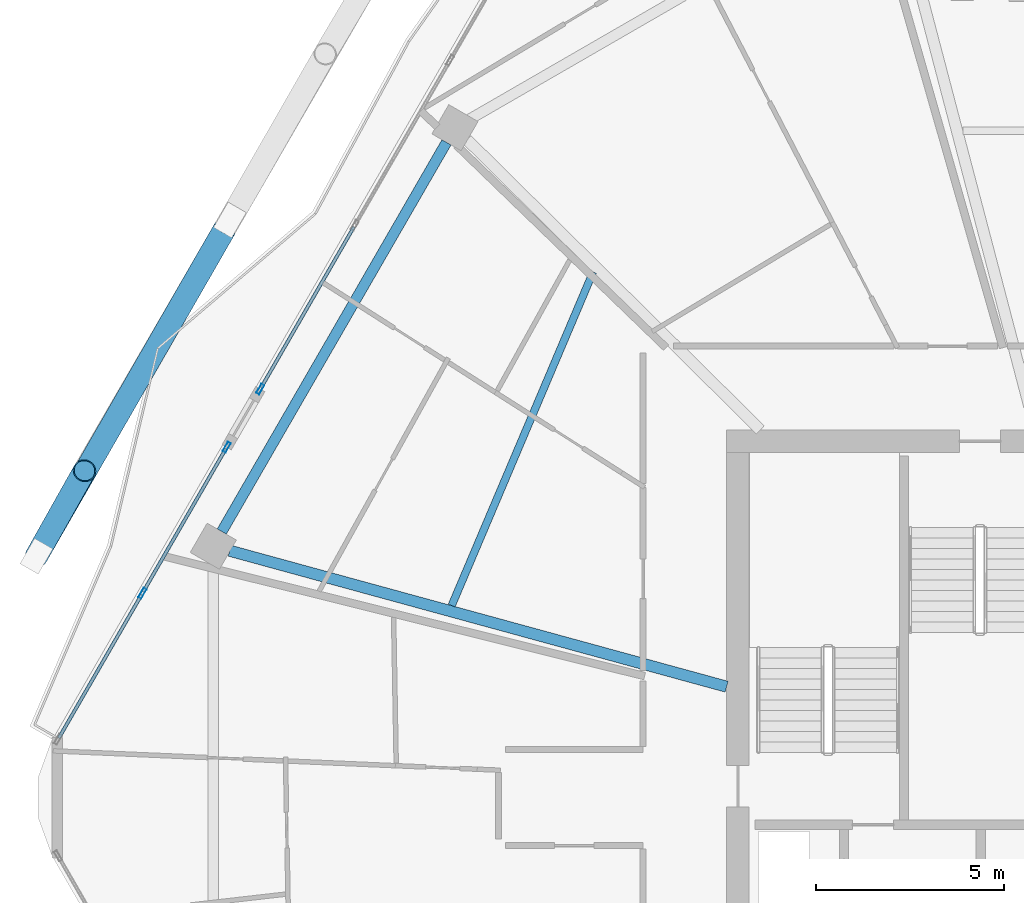
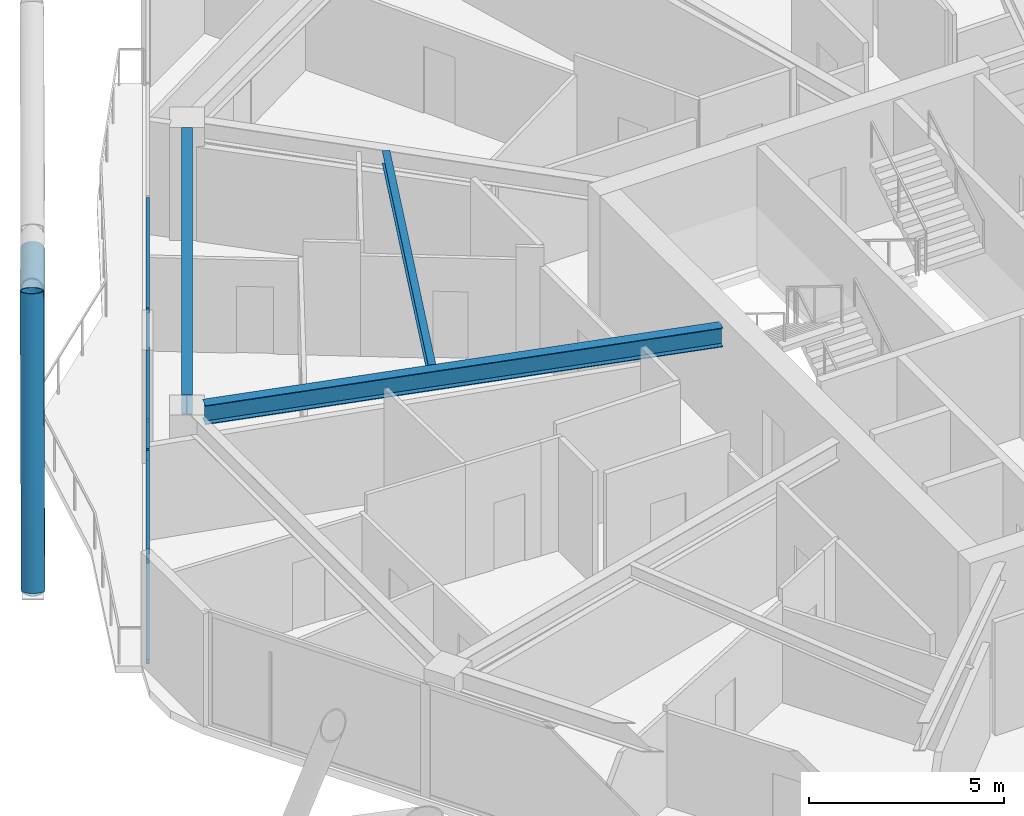
# One storey, part 12 of 29: 11 members, 3 beams, 2 elements without a shape of their own.
"""IFC4 building model written with IfcOpenShell, lengths in metres."""

import ifcopenshell
import ifcopenshell.guid

model = None  # the IFC model being written
_history = None  # IfcOwnerHistory: only IFC2X3 demands one
_inside = {}  # id of a spatial element -> (the spatial element, [elements in it])
_under = {}  # id of a project, library or spatial element -> (it, [spatial elements below it])
_declared = {}  # id of a project -> (the project, [libraries it declares])
_typed = {}  # id of a type object -> (the type object, [elements of that type])
_made_of = {}  # id of a material, layer set ... -> (it, [elements and type objects made of it])


def new_model(schema):
    """Start an empty IFC model of exactly this schema.

    Asked for "IFC4X3", IfcOpenShell would pick the latest addendum, in which some entities
    have other attributes; the version numbers below select the first issue.
    IFC2X3 requires an IfcOwnerHistory on every rooted entity: one is made here for all.
    """
    global model, _history
    if schema == "IFC4X3":
        model = ifcopenshell.file(schema_version=(4, 3, 0, 0))
    else:
        model = ifcopenshell.file(schema=schema)
    _inside.clear()
    _under.clear()
    _declared.clear()
    _typed.clear()
    _made_of.clear()
    _history = None
    if model.schema == "IFC2X3":
        org = make("IfcOrganization", Name="unknown")
        user = make(
            "IfcPersonAndOrganization",
            ThePerson=make("IfcPerson", FamilyName="unknown"),
            TheOrganization=org,
        )
        app = make(
            "IfcApplication",
            ApplicationDeveloper=org,
            Version="unknown",
            ApplicationFullName="unknown",
            ApplicationIdentifier="unknown",
        )
        _history = make(
            "IfcOwnerHistory",
            OwningUser=user,
            OwningApplication=app,
            ChangeAction="ADDED",
            CreationDate=0,
        )
    return model


def make(cls, **values):
    """One entity of the class cls with the attributes given. An attribute that is None is left unset."""
    return model.create_entity(
        cls, **{name: value for name, value in values.items() if value is not None}
    )


def rooted(cls, **values):
    """An entity with a GlobalId (a new one), such as an element, a storey or a relation."""
    return make(cls, GlobalId=ifcopenshell.guid.new(), OwnerHistory=_history, **values)


def si_unit(unit_type, name, prefix=None):
    """IfcSIUnit, for example si_unit("LENGTHUNIT", "METRE", prefix="MILLI")."""
    return make("IfcSIUnit", UnitType=unit_type, Prefix=prefix, Name=name)


def assignment(units):
    """IfcUnitAssignment: the units of a project."""
    return None if units is None else make("IfcUnitAssignment", Units=units)


def point(xyz):
    """IfcCartesianPoint."""
    return None if xyz is None else make("IfcCartesianPoint", Coordinates=xyz)


def direction(xyz):
    """IfcDirection."""
    return None if xyz is None else make("IfcDirection", DirectionRatios=xyz)


def frame(location, z_axis=None, x_axis=None):
    """IfcAxis2Placement3D, a coordinate frame: its origin and axes. An axis left out is left unset."""
    return make(
        "IfcAxis2Placement3D",
        Location=point(location),
        Axis=direction(z_axis),
        RefDirection=direction(x_axis),
    )


def frame_2d(location, x_axis=None):
    """IfcAxis2Placement2D, a coordinate frame in the plane: its origin and x axis."""
    return make(
        "IfcAxis2Placement2D", Location=point(location), RefDirection=direction(x_axis)
    )


def origin():
    """The frame at (0, 0, 0) with its axes left unset."""
    return frame((0.0, 0.0, 0.0))


def origin_2d():
    """The frame at (0, 0) in the plane with its x axis left unset."""
    return frame_2d((0.0, 0.0))


def place(relative_to, where):
    """IfcLocalPlacement: puts the frame where relative to a parent placement (None: the world)."""
    return make(
        "IfcLocalPlacement", PlacementRelTo=relative_to, RelativePlacement=where
    )


def context(
    kind, dimensions, precision=None, world=None, true_north=None, identifier=None
):
    """IfcGeometricRepresentationContext, for example the 3D "Model" context."""
    return make(
        "IfcGeometricRepresentationContext",
        ContextIdentifier=identifier,
        ContextType=kind,
        CoordinateSpaceDimension=dimensions,
        Precision=precision,
        WorldCoordinateSystem=world,
        TrueNorth=true_north,
    )


def subcontext(parent, identifier, kind, view, scale=None):
    """IfcGeometricRepresentationSubContext, for example "Body" below "Model"."""
    return make(
        "IfcGeometricRepresentationSubContext",
        ContextIdentifier=identifier,
        ContextType=kind,
        ParentContext=parent,
        TargetScale=scale,
        TargetView=view,
    )


def project(units=None, contexts=None):
    """IfcProject with its units and contexts."""
    return rooted(
        "IfcProject",
        Name="project",
        RepresentationContexts=contexts,
        UnitsInContext=assignment(units),
    )


def spatial(cls, under=None, at=None, **own):
    """A site, building, storey or space (cls), placed at a placement, below another one or the project."""
    s = rooted(cls, ObjectPlacement=at, **own)
    if under is not None:
        _under.setdefault(under.id(), (under, []))[1].append(s)
    return s


def profile(cls, at=None, kind="AREA", **sizes):
    """A parametric profile (cls). Its sizes go by their IFC names, for example OverallWidth=200.0."""
    return make(cls, ProfileType=kind, Position=at, **sizes)


def hollow_rectangle(**sizes):
    """IfcRectangleHollowProfileDef."""
    return profile("IfcRectangleHollowProfileDef", **sizes)


def hollow_circle(**sizes):
    """IfcCircleHollowProfileDef."""
    return profile("IfcCircleHollowProfileDef", **sizes)


def i_section(**sizes):
    """IfcIShapeProfileDef."""
    return profile("IfcIShapeProfileDef", **sizes)


def extrude(swept, where, along, depth):
    """IfcExtrudedAreaSolid: the profile swept, set in the frame where, extruded along a direction by depth."""
    return make(
        "IfcExtrudedAreaSolid",
        SweptArea=swept,
        Position=where,
        ExtrudedDirection=direction(along),
        Depth=depth,
    )


def shape(context_of_items, identifier, shape_type, items):
    """IfcShapeRepresentation: the items that make up one representation, for example the "Body"."""
    return make(
        "IfcShapeRepresentation",
        ContextOfItems=context_of_items,
        RepresentationIdentifier=identifier,
        RepresentationType=shape_type,
        Items=items,
    )


def material(Name=None, Category=None):
    """IfcMaterial."""
    return make("IfcMaterial", Name=Name, Category=Category)


def material_profile(
    of_material, cross_section, Name=None, Category=None, Priority=None
):
    """IfcMaterialProfile: a cross section and its material."""
    return make(
        "IfcMaterialProfile",
        Name=Name,
        Material=of_material,
        Profile=cross_section,
        Priority=Priority,
        Category=Category,
    )


def profile_set(profiles, Name=None, composite=None):
    """IfcMaterialProfileSet."""
    return make(
        "IfcMaterialProfileSet",
        Name=Name,
        MaterialProfiles=profiles,
        CompositeProfile=composite,
    )


def made_of(thing, what):
    """Note that an element or type object is made of a material, layer set ...; save() writes the relation."""
    if what is not None:
        _made_of.setdefault(what.id(), (what, []))[1].append(thing)
    return thing


def type_object(cls, material=None, **own):
    """A type object (cls), such as IfcWallType, which elements share."""
    return made_of(rooted(cls, **own), material)


def element(
    cls,
    number,
    at=None,
    inside=None,
    cuts=None,
    type_object=None,
    material=None,
    context=None,
    identifier="Body",
    shape_type=None,
    held_by="IfcProductDefinitionShape",
    body=None,
    shapes=None,
    **own,
):
    """One element of the class cls, such as IfcWall. Its Tag is "e" and its number.

    at: its placement. inside: the storey or other place that contains it. cuts: it is an
    opening in that element (IfcRelVoidsElement). A single representation is given by context,
    identifier, shape_type and body (its items); several are given by shapes. held_by: the class
    of the entity that holds the representations. save() writes the other relations.
    """
    e = rooted(cls, Tag="e%d" % number, ObjectPlacement=at, **own)
    if body is not None:
        shapes = [shape(context, identifier, shape_type, body)]
    if shapes is not None:
        e.Representation = make(held_by, Representations=shapes)
    if inside is not None:
        _inside.setdefault(inside.id(), (inside, []))[1].append(e)
    if cuts is not None:
        rooted(
            "IfcRelVoidsElement", RelatingBuildingElement=cuts, RelatedOpeningElement=e
        )
    if type_object is not None:
        _typed.setdefault(type_object.id(), (type_object, []))[1].append(e)
    return made_of(e, material)


def aggregate(whole, parts):
    """IfcRelAggregates: a whole, such as a stair, and the parts it consists of."""
    return rooted("IfcRelAggregates", RelatingObject=whole, RelatedObjects=parts)


def save(model, path):
    """Write the relations noted so far, then the file.

    IfcRelAggregates (storeys below a building ...), IfcRelContainedInSpatialStructure (elements
    in a storey), IfcRelDefinesByType, IfcRelAssociatesMaterial and IfcRelDeclares: one each for
    every whole, place, type object, material and project.
    """
    for whole, parts in _under.values():
        aggregate(whole, parts)
    for where, things in _inside.values():
        rooted(
            "IfcRelContainedInSpatialStructure",
            RelatedElements=things,
            RelatingStructure=where,
        )
    for kind, things in _typed.values():
        rooted("IfcRelDefinesByType", RelatedObjects=things, RelatingType=kind)
    for what, things in _made_of.values():
        rooted("IfcRelAssociatesMaterial", RelatedObjects=things, RelatingMaterial=what)
    for by, libraries in _declared.values():
        rooted("IfcRelDeclares", RelatingContext=by, RelatedDefinitions=libraries)
    model.write(path)


model = new_model("IFC4")

# Units and contexts
model_context = context("Model", 3, precision=1e-05, world=origin(), true_north=direction((0.0, 1.0)))
body_context = subcontext(model_context, "Body", "Model", "MODEL_VIEW")
ifc_project = project(units=[si_unit("LENGTHUNIT", "METRE"), si_unit("AREAUNIT", "SQUARE_METRE"), si_unit("VOLUMEUNIT", "CUBIC_METRE"), si_unit("PLANEANGLEUNIT", "RADIAN"), si_unit("MASSUNIT", "GRAM", prefix="KILO")], contexts=[model_context])

# Site, building, storey
site_placement = place(None, origin())
site = spatial("IfcSite", under=ifc_project, at=site_placement, CompositionType="ELEMENT")
building_placement = place(site_placement, origin())
building = spatial("IfcBuilding", under=site, at=building_placement, Name="Zuhravey Tower", CompositionType="ELEMENT")
storey_placement = place(building_placement, frame((0.0, 0.0, 246.39990234375)))
storey = spatial("IfcBuildingStorey", under=building, at=storey_placement, Name="L62", CompositionType="ELEMENT", Elevation=246.39990234375)

# Curtain wall, members
ifc_material_1 = material(Name="Thermally broken anodised aluminium", Category="aluminium")
curtain_wall_type = type_object("IfcCurtainWallType", Name="Zone 3-4 High-Rise Curtain Wall CW4", PredefinedType="NOTDEFINED", material=ifc_material_1)
curtain_wall_1_placement = place(storey_placement, origin())
curtain_wall_1 = element("IfcCurtainWall", 1, at=curtain_wall_1_placement, inside=storey, type_object=curtain_wall_type, Name="L62 CW4 CW-L62-F3-1", PredefinedType="NOTDEFINED")
ifc_material_2 = material(Name="Anodised aluminium", Category="aluminium")
ifc_material_profile_1 = material_profile(ifc_material_2, hollow_rectangle(XDim=0.090087890625, YDim=0.284912109375, WallThickness=0.0048828125, at=origin_2d()), Name="ALU-RHS-90x285x5")
ifc_profile_set_1 = profile_set([ifc_material_profile_1], Name="Anodised aluminium")
member_type_1 = type_object("IfcMemberType", Name="Curtain-Wall Mullion 90x180", PredefinedType="MULLION", material=ifc_profile_set_1)
member_1_placement = place(storey_placement, frame((9.625244140625, 37.444580078125, 0.0), z_axis=(0.0, 0.0, 1.0), x_axis=(-0.866023292434, 0.500003656948, 0.0)))
member_1 = element("IfcMember", 2, at=member_1_placement, type_object=member_type_1, Name="CW4 mullion 2", PredefinedType="MULLION", context=body_context, shape_type="SweptSolid", body=[
    extrude(hollow_rectangle(XDim=0.090087890625, YDim=0.284912109375, WallThickness=0.0048828125, at=origin_2d()), origin(), (0.0, 0.0, 1.0), 3.550048828125),
])
member_2_placement = place(storey_placement, frame((11.872802734375, 41.337890625, 0.0), z_axis=(0.0, 0.0, 1.0), x_axis=(-0.866023292434, 0.500003656948, 0.0)))
member_2 = element("IfcMember", 3, at=member_2_placement, type_object=member_type_1, Name="CW4 mullion 3", PredefinedType="MULLION", context=body_context, shape_type="SweptSolid", body=[
    extrude(hollow_rectangle(XDim=0.090087890625, YDim=0.284912109375, WallThickness=0.0048828125, at=origin_2d()), origin(), (0.0, 0.0, 1.0), 3.550048828125),
])

# Curtain wall, member
curtain_wall_2_placement = place(storey_placement, origin())
curtain_wall_2 = element("IfcCurtainWall", 4, at=curtain_wall_2_placement, inside=storey, type_object=curtain_wall_type, Name="L62 CW4 CW-L62-F3-2", PredefinedType="NOTDEFINED")
member_3_placement = place(storey_placement, frame((12.767822265625, 42.887939453125, 0.0), z_axis=(0.0, 0.0, 1.0), x_axis=(-0.866026426031, 0.499998229413, 0.0)))
member_3 = element("IfcMember", 5, at=member_3_placement, type_object=member_type_1, Name="CW4 mullion 1", PredefinedType="MULLION", context=body_context, shape_type="SweptSolid", body=[
    extrude(hollow_rectangle(XDim=0.090087890625, YDim=0.284912109375, WallThickness=0.0048828125, at=origin_2d()), origin(), (0.0, 0.0, 1.0), 3.550048828125),
])

# Member
ifc_material_profile_2 = material_profile(ifc_material_2, hollow_rectangle(XDim=0.090087890625, YDim=0.14990234375, WallThickness=0.0048828125, at=origin_2d()), Name="ALU-RHS-90x150x5")
ifc_profile_set_2 = profile_set([ifc_material_profile_2], Name="Anodised aluminium")
member_type_2 = type_object("IfcMemberType", Name="Curtain-Wall Transom 90x150", PredefinedType="USERDEFINED", material=ifc_profile_set_2)
member_4_placement = place(storey_placement, frame((7.39990234375, 33.59033203125, 0.045166015625), z_axis=(0.499965502695, 0.866045319897, 0.0), x_axis=(-0.866045319897, 0.499965502695, 0.0)))
member_4 = element("IfcMember", 6, at=member_4_placement, type_object=member_type_2, Name="CW4 transom 1.1", ObjectType="TRANSOM", PredefinedType="USERDEFINED", context=body_context, shape_type="SweptSolid", body=[
    extrude(hollow_rectangle(XDim=0.090087890625, YDim=0.14990234375, WallThickness=0.0048828125, at=origin_2d()), origin(), (0.0, 0.0, 1.0), 4.405517578125),
])

member_5_placement = place(storey_placement, frame((7.39990234375, 33.59033203125, 3.505126953125), z_axis=(0.499965502695, 0.866045319897, 0.0), x_axis=(-0.866045319897, 0.499965502695, 0.0)))
member_5 = element("IfcMember", 7, at=member_5_placement, type_object=member_type_2, Name="CW4 transom 1.2", ObjectType="TRANSOM", PredefinedType="USERDEFINED", context=body_context, shape_type="SweptSolid", body=[
    extrude(hollow_rectangle(XDim=0.090087890625, YDim=0.14990234375, WallThickness=0.0048828125, at=origin_2d()), origin(), (0.0, 0.0, 1.0), 4.405517578125),
])

member_6_placement = place(storey_placement, frame((9.647705078125, 37.483642578125, 0.045166015625), z_axis=(0.499989498495, 0.866031466746, 0.0), x_axis=(-0.866031466746, 0.499989498495, 0.0)))
member_6 = element("IfcMember", 8, at=member_6_placement, type_object=member_type_2, Name="CW4 transom 2.1", ObjectType="TRANSOM", PredefinedType="USERDEFINED", context=body_context, shape_type="SweptSolid", body=[
    extrude(hollow_rectangle(XDim=0.090087890625, YDim=0.14990234375, WallThickness=0.0048828125, at=origin_2d()), origin(), (0.0, 0.0, 1.0), 4.4052734375),
])

member_7_placement = place(storey_placement, frame((9.647705078125, 37.483642578125, 3.505126953125), z_axis=(0.499989498495, 0.866031466746, 0.0), x_axis=(-0.866031466746, 0.499989498495, 0.0)))
member_7 = element("IfcMember", 9, at=member_7_placement, type_object=member_type_2, Name="CW4 transom 2.2", ObjectType="TRANSOM", PredefinedType="USERDEFINED", context=body_context, shape_type="SweptSolid", body=[
    extrude(hollow_rectangle(XDim=0.090087890625, YDim=0.14990234375, WallThickness=0.0048828125, at=origin_2d()), origin(), (0.0, 0.0, 1.0), 4.4052734375),
])

aggregate(curtain_wall_1, [member_1, member_2, member_4, member_5, member_6, member_7])

member_8_placement = place(storey_placement, frame((12.790283203125, 42.927001953125, 0.045166015625), z_axis=(0.500030064314, 0.866008045449, 0.0), x_axis=(-0.866008045449, 0.500030064314, 0.0)))
member_8 = element("IfcMember", 10, at=member_8_placement, type_object=member_type_2, Name="CW4 transom 1.1", ObjectType="TRANSOM", PredefinedType="USERDEFINED", context=body_context, shape_type="SweptSolid", body=[
    extrude(hollow_rectangle(XDim=0.090087890625, YDim=0.14990234375, WallThickness=0.0048828125, at=origin_2d()), origin(), (0.0, 0.0, 1.0), 4.946533203125),
])

member_9_placement = place(storey_placement, frame((12.790283203125, 42.927001953125, 3.505126953125), z_axis=(0.500030064314, 0.866008045449, 0.0), x_axis=(-0.866008045449, 0.500030064314, 0.0)))
member_9 = element("IfcMember", 11, at=member_9_placement, type_object=member_type_2, Name="CW4 transom 1.2", ObjectType="TRANSOM", PredefinedType="USERDEFINED", context=body_context, shape_type="SweptSolid", body=[
    extrude(hollow_rectangle(XDim=0.090087890625, YDim=0.14990234375, WallThickness=0.0048828125, at=origin_2d()), origin(), (0.0, 0.0, 1.0), 4.946533203125),
])

aggregate(curtain_wall_2, [member_3, member_8, member_9])

# Members
ifc_material_3 = material(Name="Steel SM355", Category="steel")
ifc_material_profile_3 = material_profile(ifc_material_3, hollow_circle(Radius=0.3046875, WallThickness=0.028076171875, at=origin_2d()), Name="CHS-609.6x28")
ifc_profile_set_3 = profile_set([ifc_material_profile_3], Name="Steel SM355")
member_type_3 = type_object("IfcMemberType", Name="Exoskeleton Zone 3 Diagrid CHS610x28", PredefinedType="BRACE", material=ifc_profile_set_3)
member_10_placement = place(storey_placement, frame((6.8037109375, 38.43798828125, -0.44580078125), z_axis=(0.159795415744, 0.28422652237, 0.945346872364), x_axis=(-0.871682978645, 0.490070183485, 0.0)))
element("IfcMember", 12, at=member_10_placement, inside=storey, type_object=member_type_3, Name="L62 Face 3 Diagrid Brace 4", PredefinedType="BRACE", context=body_context, shape_type="SweptSolid", body=[
    extrude(hollow_circle(Radius=0.3046875, WallThickness=0.028076171875, at=origin_2d()), origin(), (0.0, 0.0, 1.0), 8.001220703125),
])
member_11_placement = place(storey_placement, frame((6.81982421875, 38.465576171875, -0.449951171875), z_axis=(0.468117342426, 0.813547616936, 0.34497308402), x_axis=(-0.866755502891, 0.498733293664, 0.0)))
element("IfcMember", 13, at=member_11_placement, inside=storey, type_object=member_type_3, Name="L62 Face 3 Split Diagrid Brace 3A", PredefinedType="BRACE", context=body_context, shape_type="SweptSolid", body=[
    extrude(hollow_circle(Radius=0.3046875, WallThickness=0.028076171875, at=origin_2d()), origin(), (0.0, 0.0, 1.0), 10.679931640625),
])

# Beams
ifc_material_profile_4 = material_profile(ifc_material_3, i_section(OverallWidth=0.280029296875, OverallDepth=0.6201171875, WebThickness=0.011962890625, FlangeThickness=0.02001953125, at=origin_2d()), Name="H-620x280x12x20")
ifc_profile_set_4 = profile_set([ifc_material_profile_4], Name="Steel SM355")
beam_type_1 = type_object("IfcBeamType", Name="Perimeter Ring Beam H620x280", PredefinedType="BEAM", material=ifc_profile_set_4)
beam_1_placement = place(storey_placement, frame((17.72998046875, 49.46240234375, 3.239990234375), z_axis=(-0.500017744717, -0.866015158625, 0.0), x_axis=(0.866015158625, -0.500017744717, 0.0)))
element("IfcBeam", 14, at=beam_1_placement, inside=storey, type_object=beam_type_1, Name="L62 PB3 BM-L62-PB-05", PredefinedType="BEAM", context=body_context, shape_type="SweptSolid", body=[
    extrude(i_section(OverallWidth=0.280029296875, OverallDepth=0.6201171875, WebThickness=0.011962890625, FlangeThickness=0.02001953125, at=origin_2d()), origin(), (0.0, 0.0, 1.0), 11.9755859375),
])
ifc_material_profile_5 = material_profile(ifc_material_3, i_section(OverallWidth=0.300048828125, OverallDepth=0.60009765625, WebThickness=0.011962890625, FlangeThickness=0.02001953125, at=origin_2d()), Name="H-600x300x12x20")
ifc_profile_set_5 = profile_set([ifc_material_profile_5], Name="Steel SM355")
beam_type_2 = type_object("IfcBeamType", Name="Radial Primary Girder H600x300", PredefinedType="BEAM", material=ifc_profile_set_5)
beam_2_placement = place(storey_placement, frame((25.197021484375, 34.95556640625, 3.25), z_axis=(-0.964548913045, 0.26390413855, 0.0), x_axis=(-0.26390413855, -0.964548913045, 0.0)))
element("IfcBeam", 15, at=beam_2_placement, inside=storey, type_object=beam_type_2, Name="L62 RG3 BM-L62-RAD-06", PredefinedType="BEAM", context=body_context, shape_type="SweptSolid", body=[
    extrude(i_section(OverallWidth=0.300048828125, OverallDepth=0.60009765625, WebThickness=0.011962890625, FlangeThickness=0.02001953125, at=origin_2d()), origin(), (0.0, 0.0, 1.0), 13.7314453125),
])
ifc_material_profile_6 = material_profile(ifc_material_3, i_section(OverallWidth=0.199951171875, OverallDepth=0.39990234375, WebThickness=0.008056640625, FlangeThickness=0.012939453125, at=origin_2d()), Name="H-400x200x8x13")
ifc_profile_set_6 = profile_set([ifc_material_profile_6], Name="Steel SM355")
beam_type_3 = type_object("IfcBeamType", Name="Secondary Floor Joist H400x200", PredefinedType="JOIST", material=ifc_profile_set_6)
beam_3_placement = place(storey_placement, frame((21.63916015625, 46.009033203125, 3.35009765625), z_axis=(-0.390413493754, -0.920639616731, 0.0), x_axis=(0.920639616731, -0.390413493754, 0.0)))
element("IfcBeam", 16, at=beam_3_placement, inside=storey, type_object=beam_type_3, Name="L62 SJ2 BM-L62-SJ-05-1", PredefinedType="JOIST", context=body_context, shape_type="SweptSolid", body=[
    extrude(i_section(OverallWidth=0.199951171875, OverallDepth=0.39990234375, WebThickness=0.008056640625, FlangeThickness=0.012939453125, at=origin_2d()), origin(), (0.0, 0.0, 1.0), 9.656494140625),
])

save(model, "model.ifc")
